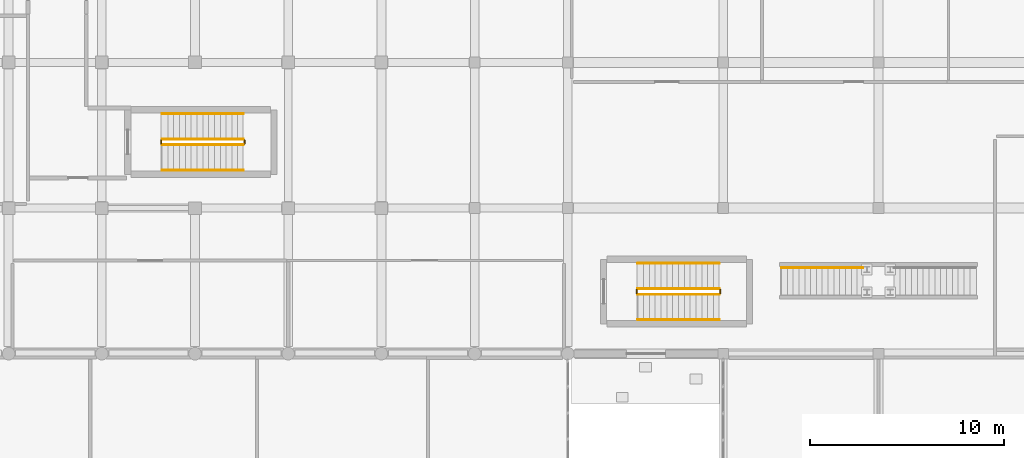
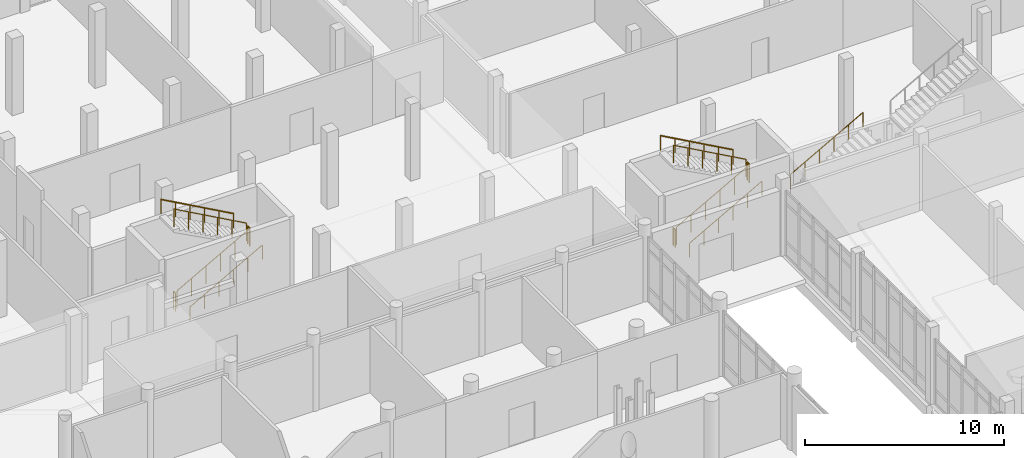
# One storey, part 170 of 173: 13 railings.
"""IFC4 building model written with IfcOpenShell, lengths in metres."""

from ifc_helpers import new_model, si_unit, direction, frame, origin, origin_2d, place, context, subcontext, project, spatial, circle, extrude, material, type_object, element, save


model = new_model("IFC4")

# Units and contexts
model_context = context("Model", 3, precision=1e-05, world=origin(), true_north=direction((0.0, 1.0)))
body_context = subcontext(model_context, "Body", "Model", "MODEL_VIEW")
ifc_project = project(units=[si_unit("LENGTHUNIT", "METRE"), si_unit("AREAUNIT", "SQUARE_METRE"), si_unit("VOLUMEUNIT", "CUBIC_METRE"), si_unit("PLANEANGLEUNIT", "RADIAN"), si_unit("MASSUNIT", "GRAM", prefix="KILO")], contexts=[model_context])

# Site, building, storey
site_placement = place(None, origin())
site = spatial("IfcSite", under=ifc_project, at=site_placement, CompositionType="ELEMENT")
building_placement = place(site_placement, origin())
building = spatial("IfcBuilding", under=site, at=building_placement, Name="Mawjan Specialist Oncology Clinic", CompositionType="ELEMENT")
storey_placement = place(building_placement, origin())
storey = spatial("IfcBuildingStorey", under=building, at=storey_placement, Name="L00", CompositionType="ELEMENT", Elevation=0.0)

# Railings
ifc_material_1 = material(Name="Powder-coated steel stair guard with vertical infill pickets", Category="steel")
railing_type_1 = type_object("IfcRailingType", Name="GR-110", PredefinedType="GUARDRAIL", material=ifc_material_1)
railing_1_placement = place(storey_placement, frame((87.10009765625, 86.550048828125, 0.166748046875)))
element("IfcRailing", 1, at=railing_1_placement, inside=storey, type_object=railing_type_1, Name="L00 ST-04 stair guard 1", PredefinedType="GUARDRAIL", context=body_context, shape_type="SweptSolid", body=[
    extrude(circle(Radius=0.02392578125, at=origin_2d()), frame((0.0, 0.0, 1.076171875), z_axis=(0.874162069901, 0.0, 0.485634302275), x_axis=(0.0, 1.0, 0.0)), (0.0, 0.0, 1.0), 4.804443359375),
    extrude(circle(Radius=0.02099609375, at=origin_2d()), origin(), (0.0, 0.0, 1.0), 1.052001953125),
    extrude(circle(Radius=0.02099609375, at=origin_2d()), frame((0.840087890625, 0.0, 0.466552734375)), (0.0, 0.0, 1.0), 1.052001953125),
    extrude(circle(Radius=0.02099609375, at=origin_2d()), frame((1.679931640625, 0.0, 0.933349609375)), (0.0, 0.0, 1.0), 1.052001953125),
    extrude(circle(Radius=0.02099609375, at=origin_2d()), frame((2.52001953125, 0.0, 1.39990234375)), (0.0, 0.0, 1.0), 1.052001953125),
    extrude(circle(Radius=0.02099609375, at=origin_2d()), frame((3.35986328125, 0.0, 1.86669921875)), (0.0, 0.0, 1.0), 1.052001953125),
    extrude(circle(Radius=0.02099609375, at=origin_2d()), frame((4.199951171875, 0.0, 2.333251953125)), (0.0, 0.0, 1.0), 1.052001953125),
])
railing_2_placement = place(storey_placement, frame((91.35009765625, 86.60009765625, 2.5)))
element("IfcRailing", 2, at=railing_2_placement, inside=storey, type_object=railing_type_1, Name="L00 ST-04 stair guard 2", PredefinedType="GUARDRAIL", context=body_context, shape_type="SweptSolid", body=[
    extrude(circle(Radius=0.02392578125, at=origin_2d()), frame((0.0, 0.0, 1.076171875), z_axis=(0.0, 1.0, 0.0), x_axis=(-1.0, 0.0, 0.0)), (0.0, 0.0, 1.0), 0.199951171875),
    extrude(circle(Radius=0.02099609375, at=origin_2d()), origin(), (0.0, 0.0, 1.0), 1.052001953125),
    extrude(circle(Radius=0.02099609375, at=origin_2d()), frame((0.0, 0.199951171875, 0.0)), (0.0, 0.0, 1.0), 1.052001953125),
])
railing_3_placement = place(storey_placement, frame((91.300048828125, 86.85009765625, 2.666748046875)))
element("IfcRailing", 3, at=railing_3_placement, inside=storey, type_object=railing_type_1, Name="L00 ST-04 stair guard 3", PredefinedType="GUARDRAIL", context=body_context, shape_type="SweptSolid", body=[
    extrude(circle(Radius=0.02392578125, at=origin_2d()), frame((0.0, 0.0, 1.076171875), z_axis=(-0.874162069901, 0.0, 0.485634302275), x_axis=(0.0, -1.0, 0.0)), (0.0, 0.0, 1.0), 4.804443359375),
    extrude(circle(Radius=0.02099609375, at=origin_2d()), origin(), (0.0, 0.0, 1.0), 1.052001953125),
    extrude(circle(Radius=0.02099609375, at=origin_2d()), frame((-0.840087890625, 0.0, 0.466552734375)), (0.0, 0.0, 1.0), 1.052001953125),
    extrude(circle(Radius=0.02099609375, at=origin_2d()), frame((-1.679931640625, 0.0, 0.933349609375)), (0.0, 0.0, 1.0), 1.052001953125),
    extrude(circle(Radius=0.02099609375, at=origin_2d()), frame((-2.52001953125, 0.0, 1.39990234375)), (0.0, 0.0, 1.0), 1.052001953125),
    extrude(circle(Radius=0.02099609375, at=origin_2d()), frame((-3.35986328125, 0.0, 1.86669921875)), (0.0, 0.0, 1.0), 1.052001953125),
    extrude(circle(Radius=0.02099609375, at=origin_2d()), frame((-4.199951171875, 0.0, 2.333251953125)), (0.0, 0.0, 1.0), 1.052001953125),
])
railing_4_placement = place(storey_placement, frame((87.050048828125, 86.60009765625, 0.0)))
element("IfcRailing", 4, at=railing_4_placement, inside=storey, type_object=railing_type_1, Name="L00 ST-04 stair guard 4", PredefinedType="GUARDRAIL", context=body_context, shape_type="SweptSolid", body=[
    extrude(circle(Radius=0.02392578125, at=origin_2d()), frame((0.0, 0.0, 1.076171875), z_axis=(0.0, 1.0, 0.0), x_axis=(-1.0, 0.0, 0.0)), (0.0, 0.0, 1.0), 0.199951171875),
    extrude(circle(Radius=0.02099609375, at=origin_2d()), origin(), (0.0, 0.0, 1.0), 1.052001953125),
    extrude(circle(Radius=0.02099609375, at=origin_2d()), frame((0.0, 0.199951171875, 0.0)), (0.0, 0.0, 1.0), 1.052001953125),
])
railing_5_placement = place(storey_placement, frame((111.60009765625, 78.85009765625, 0.166748046875)))
element("IfcRailing", 5, at=railing_5_placement, inside=storey, type_object=railing_type_1, Name="L00 ST-08 stair guard 1", PredefinedType="GUARDRAIL", context=body_context, shape_type="SweptSolid", body=[
    extrude(circle(Radius=0.02392578125, at=origin_2d()), frame((0.0, 0.0, 1.076171875), z_axis=(0.874162069901, 0.0, 0.485634302275), x_axis=(0.0, 1.0, 0.0)), (0.0, 0.0, 1.0), 4.804443359375),
    extrude(circle(Radius=0.02099609375, at=origin_2d()), origin(), (0.0, 0.0, 1.0), 1.052001953125),
    extrude(circle(Radius=0.02099609375, at=origin_2d()), frame((0.840087890625, 0.0, 0.466552734375)), (0.0, 0.0, 1.0), 1.052001953125),
    extrude(circle(Radius=0.02099609375, at=origin_2d()), frame((1.679931640625, 0.0, 0.933349609375)), (0.0, 0.0, 1.0), 1.052001953125),
    extrude(circle(Radius=0.02099609375, at=origin_2d()), frame((2.52001953125, 0.0, 1.39990234375)), (0.0, 0.0, 1.0), 1.052001953125),
    extrude(circle(Radius=0.02099609375, at=origin_2d()), frame((3.35986328125, 0.0, 1.86669921875)), (0.0, 0.0, 1.0), 1.052001953125),
    extrude(circle(Radius=0.02099609375, at=origin_2d()), frame((4.199951171875, 0.0, 2.333251953125)), (0.0, 0.0, 1.0), 1.052001953125),
])
railing_6_placement = place(storey_placement, frame((115.85009765625, 78.89990234375, 2.5)))
element("IfcRailing", 6, at=railing_6_placement, inside=storey, type_object=railing_type_1, Name="L00 ST-08 stair guard 2", PredefinedType="GUARDRAIL", context=body_context, shape_type="SweptSolid", body=[
    extrude(circle(Radius=0.02392578125, at=origin_2d()), frame((0.0, 0.0, 1.076171875), z_axis=(0.0, 1.0, 0.0), x_axis=(-1.0, 0.0, 0.0)), (0.0, 0.0, 1.0), 0.2001953125),
    extrude(circle(Radius=0.02099609375, at=origin_2d()), origin(), (0.0, 0.0, 1.0), 1.052001953125),
    extrude(circle(Radius=0.02099609375, at=origin_2d()), frame((0.0, 0.2001953125, 0.0)), (0.0, 0.0, 1.0), 1.052001953125),
])
railing_7_placement = place(storey_placement, frame((115.800048828125, 79.14990234375, 2.666748046875)))
element("IfcRailing", 7, at=railing_7_placement, inside=storey, type_object=railing_type_1, Name="L00 ST-08 stair guard 3", PredefinedType="GUARDRAIL", context=body_context, shape_type="SweptSolid", body=[
    extrude(circle(Radius=0.02392578125, at=origin_2d()), frame((0.0, 0.0, 1.076171875), z_axis=(-0.874162069901, 0.0, 0.485634302275), x_axis=(0.0, -1.0, 0.0)), (0.0, 0.0, 1.0), 4.804443359375),
    extrude(circle(Radius=0.02099609375, at=origin_2d()), origin(), (0.0, 0.0, 1.0), 1.052001953125),
    extrude(circle(Radius=0.02099609375, at=origin_2d()), frame((-0.840087890625, 0.0, 0.466552734375)), (0.0, 0.0, 1.0), 1.052001953125),
    extrude(circle(Radius=0.02099609375, at=origin_2d()), frame((-1.679931640625, 0.0, 0.933349609375)), (0.0, 0.0, 1.0), 1.052001953125),
    extrude(circle(Radius=0.02099609375, at=origin_2d()), frame((-2.52001953125, 0.0, 1.39990234375)), (0.0, 0.0, 1.0), 1.052001953125),
    extrude(circle(Radius=0.02099609375, at=origin_2d()), frame((-3.35986328125, 0.0, 1.86669921875)), (0.0, 0.0, 1.0), 1.052001953125),
    extrude(circle(Radius=0.02099609375, at=origin_2d()), frame((-4.199951171875, 0.0, 2.333251953125)), (0.0, 0.0, 1.0), 1.052001953125),
])
railing_8_placement = place(storey_placement, frame((111.550048828125, 78.89990234375, 0.0)))
element("IfcRailing", 8, at=railing_8_placement, inside=storey, type_object=railing_type_1, Name="L00 ST-08 stair guard 4", PredefinedType="GUARDRAIL", context=body_context, shape_type="SweptSolid", body=[
    extrude(circle(Radius=0.02392578125, at=origin_2d()), frame((0.0, 0.0, 1.076171875), z_axis=(0.0, 1.0, 0.0), x_axis=(-1.0, 0.0, 0.0)), (0.0, 0.0, 1.0), 0.2001953125),
    extrude(circle(Radius=0.02099609375, at=origin_2d()), origin(), (0.0, 0.0, 1.0), 1.052001953125),
    extrude(circle(Radius=0.02099609375, at=origin_2d()), frame((0.0, 0.2001953125, 0.0)), (0.0, 0.0, 1.0), 1.052001953125),
])
ifc_material_2 = material(Name="Brushed stainless-steel tubular handrail", Category="steel")
railing_type_2 = type_object("IfcRailingType", Name="HR-090", PredefinedType="HANDRAIL", material=ifc_material_2)
railing_9_placement = place(storey_placement, frame((87.10009765625, 85.25, 0.166748046875)))
element("IfcRailing", 9, at=railing_9_placement, inside=storey, type_object=railing_type_2, Name="L00 ST-04 stair handrail 1", PredefinedType="HANDRAIL", context=body_context, shape_type="SweptSolid", body=[
    extrude(circle(Radius=0.02392578125, at=origin_2d()), frame((0.0, 0.0, 0.8759765625), z_axis=(0.874162069901, 0.0, 0.485634302275), x_axis=(0.0, 1.0, 0.0)), (0.0, 0.0, 1.0), 4.804443359375),
    extrude(circle(Radius=0.02099609375, at=origin_2d()), origin(), (0.0, 0.0, 1.0), 0.851806640625),
    extrude(circle(Radius=0.02099609375, at=origin_2d()), frame((0.840087890625, 0.0, 0.466552734375)), (0.0, 0.0, 1.0), 0.851806640625),
    extrude(circle(Radius=0.02099609375, at=origin_2d()), frame((1.679931640625, 0.0, 0.933349609375)), (0.0, 0.0, 1.0), 0.851806640625),
    extrude(circle(Radius=0.02099609375, at=origin_2d()), frame((2.52001953125, 0.0, 1.39990234375)), (0.0, 0.0, 1.0), 0.851806640625),
    extrude(circle(Radius=0.02099609375, at=origin_2d()), frame((3.35986328125, 0.0, 1.86669921875)), (0.0, 0.0, 1.0), 0.851806640625),
    extrude(circle(Radius=0.02099609375, at=origin_2d()), frame((4.199951171875, 0.0, 2.333251953125)), (0.0, 0.0, 1.0), 0.851806640625),
])
railing_10_placement = place(storey_placement, frame((91.300048828125, 88.14990234375, 2.666748046875)))
element("IfcRailing", 10, at=railing_10_placement, inside=storey, type_object=railing_type_2, Name="L00 ST-04 stair handrail 2", PredefinedType="HANDRAIL", context=body_context, shape_type="SweptSolid", body=[
    extrude(circle(Radius=0.02392578125, at=origin_2d()), frame((0.0, 0.0, 0.8759765625), z_axis=(-0.874162069901, 0.0, 0.485634302275), x_axis=(0.0, -1.0, 0.0)), (0.0, 0.0, 1.0), 4.804443359375),
    extrude(circle(Radius=0.02099609375, at=origin_2d()), origin(), (0.0, 0.0, 1.0), 0.851806640625),
    extrude(circle(Radius=0.02099609375, at=origin_2d()), frame((-0.840087890625, 0.0, 0.466552734375)), (0.0, 0.0, 1.0), 0.851806640625),
    extrude(circle(Radius=0.02099609375, at=origin_2d()), frame((-1.679931640625, 0.0, 0.933349609375)), (0.0, 0.0, 1.0), 0.851806640625),
    extrude(circle(Radius=0.02099609375, at=origin_2d()), frame((-2.52001953125, 0.0, 1.39990234375)), (0.0, 0.0, 1.0), 0.851806640625),
    extrude(circle(Radius=0.02099609375, at=origin_2d()), frame((-3.35986328125, 0.0, 1.86669921875)), (0.0, 0.0, 1.0), 0.851806640625),
    extrude(circle(Radius=0.02099609375, at=origin_2d()), frame((-4.199951171875, 0.0, 2.333251953125)), (0.0, 0.0, 1.0), 0.851806640625),
])
railing_11_placement = place(storey_placement, frame((111.60009765625, 77.550048828125, 0.166748046875)))
element("IfcRailing", 11, at=railing_11_placement, inside=storey, type_object=railing_type_2, Name="L00 ST-08 stair handrail 1", PredefinedType="HANDRAIL", context=body_context, shape_type="SweptSolid", body=[
    extrude(circle(Radius=0.02392578125, at=origin_2d()), frame((0.0, 0.0, 0.8759765625), z_axis=(0.874162069901, 0.0, 0.485634302275), x_axis=(0.0, 1.0, 0.0)), (0.0, 0.0, 1.0), 4.804443359375),
    extrude(circle(Radius=0.02099609375, at=origin_2d()), origin(), (0.0, 0.0, 1.0), 0.851806640625),
    extrude(circle(Radius=0.02099609375, at=origin_2d()), frame((0.840087890625, 0.0, 0.466552734375)), (0.0, 0.0, 1.0), 0.851806640625),
    extrude(circle(Radius=0.02099609375, at=origin_2d()), frame((1.679931640625, 0.0, 0.933349609375)), (0.0, 0.0, 1.0), 0.851806640625),
    extrude(circle(Radius=0.02099609375, at=origin_2d()), frame((2.52001953125, 0.0, 1.39990234375)), (0.0, 0.0, 1.0), 0.851806640625),
    extrude(circle(Radius=0.02099609375, at=origin_2d()), frame((3.35986328125, 0.0, 1.86669921875)), (0.0, 0.0, 1.0), 0.851806640625),
    extrude(circle(Radius=0.02099609375, at=origin_2d()), frame((4.199951171875, 0.0, 2.333251953125)), (0.0, 0.0, 1.0), 0.851806640625),
])
railing_12_placement = place(storey_placement, frame((115.800048828125, 80.449951171875, 2.666748046875)))
element("IfcRailing", 12, at=railing_12_placement, inside=storey, type_object=railing_type_2, Name="L00 ST-08 stair handrail 2", PredefinedType="HANDRAIL", context=body_context, shape_type="SweptSolid", body=[
    extrude(circle(Radius=0.02392578125, at=origin_2d()), frame((0.0, 0.0, 0.8759765625), z_axis=(-0.874162069901, 0.0, 0.485634302275), x_axis=(0.0, -1.0, 0.0)), (0.0, 0.0, 1.0), 4.804443359375),
    extrude(circle(Radius=0.02099609375, at=origin_2d()), origin(), (0.0, 0.0, 1.0), 0.851806640625),
    extrude(circle(Radius=0.02099609375, at=origin_2d()), frame((-0.840087890625, 0.0, 0.466552734375)), (0.0, 0.0, 1.0), 0.851806640625),
    extrude(circle(Radius=0.02099609375, at=origin_2d()), frame((-1.679931640625, 0.0, 0.933349609375)), (0.0, 0.0, 1.0), 0.851806640625),
    extrude(circle(Radius=0.02099609375, at=origin_2d()), frame((-2.52001953125, 0.0, 1.39990234375)), (0.0, 0.0, 1.0), 0.851806640625),
    extrude(circle(Radius=0.02099609375, at=origin_2d()), frame((-3.35986328125, 0.0, 1.86669921875)), (0.0, 0.0, 1.0), 0.851806640625),
    extrude(circle(Radius=0.02099609375, at=origin_2d()), frame((-4.199951171875, 0.0, 2.333251953125)), (0.0, 0.0, 1.0), 0.851806640625),
])
railing_13_placement = place(storey_placement, frame((119.0, 80.22509765625, 0.166748046875)))
element("IfcRailing", 13, at=railing_13_placement, inside=storey, type_object=railing_type_2, Name="ST-12 Communicating Stair Handrail 1", PredefinedType="HANDRAIL", context=body_context, shape_type="SweptSolid", body=[
    extrude(circle(Radius=0.02392578125, at=origin_2d()), frame((0.0, 0.0, 0.8759765625), z_axis=(0.874162069901, 0.0, 0.485634302275), x_axis=(0.0, 1.0, 0.0)), (0.0, 0.0, 1.0), 4.804443359375),
    extrude(circle(Radius=0.02099609375, at=origin_2d()), origin(), (0.0, 0.0, 1.0), 0.851806640625),
    extrude(circle(Radius=0.02099609375, at=origin_2d()), frame((0.840087890625, 0.0, 0.466552734375)), (0.0, 0.0, 1.0), 0.851806640625),
    extrude(circle(Radius=0.02099609375, at=origin_2d()), frame((1.679931640625, 0.0, 0.933349609375)), (0.0, 0.0, 1.0), 0.851806640625),
    extrude(circle(Radius=0.02099609375, at=origin_2d()), frame((2.52001953125, 0.0, 1.39990234375)), (0.0, 0.0, 1.0), 0.851806640625),
    extrude(circle(Radius=0.02099609375, at=origin_2d()), frame((3.35986328125, 0.0, 1.86669921875)), (0.0, 0.0, 1.0), 0.851806640625),
    extrude(circle(Radius=0.02099609375, at=origin_2d()), frame((4.199951171875, 0.0, 2.333251953125)), (0.0, 0.0, 1.0), 0.851806640625),
])

save(model, "model.ifc")
